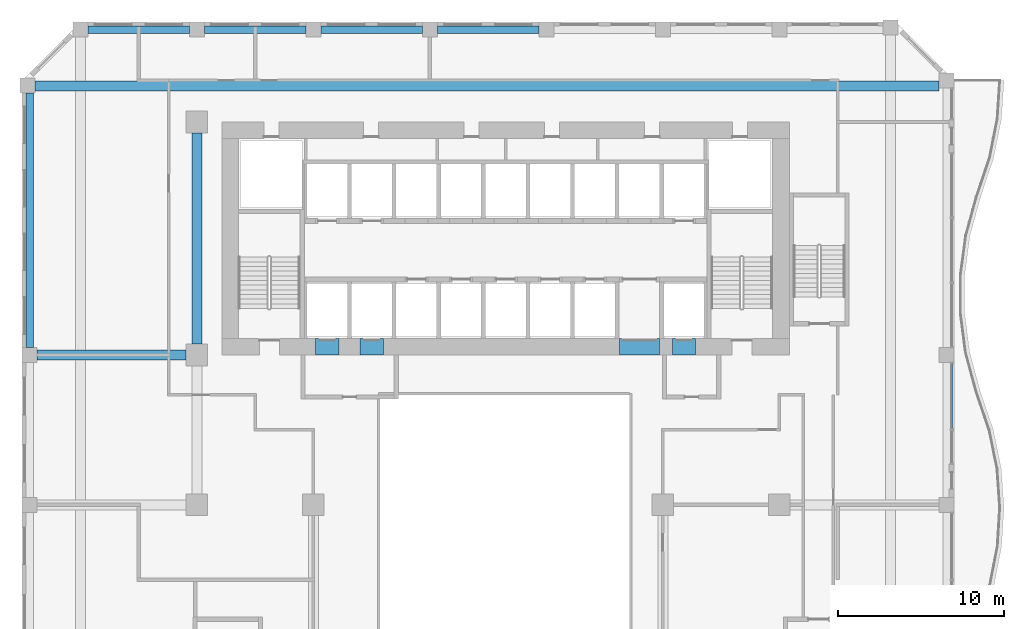
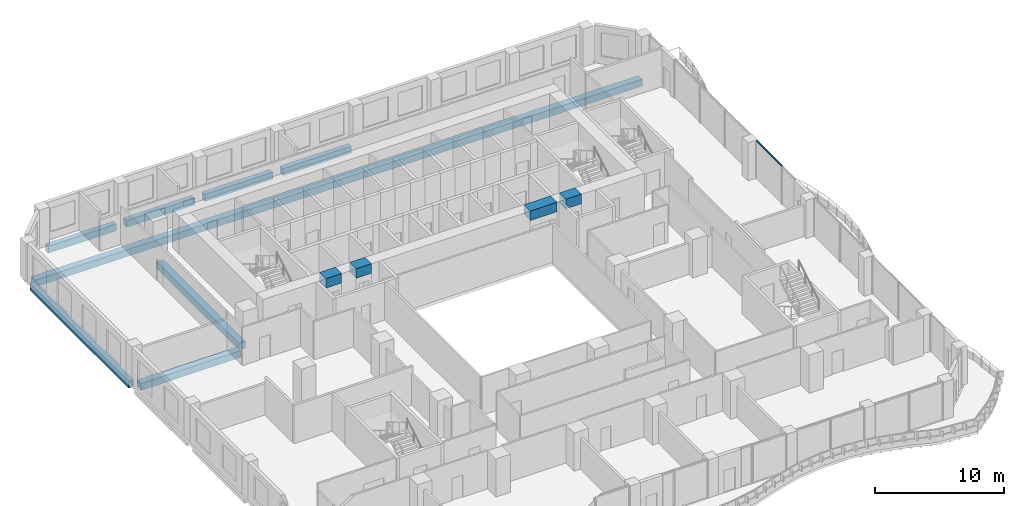
# One storey, part 9 of 23: 12 beams, 1 member, 1 element without a shape of its own.
"""IFC4 building model written with IfcOpenShell, lengths in metres."""

from ifc_helpers import new_model, si_unit, direction, frame, origin, origin_2d, place, context, subcontext, project, spatial, rectangle, extrude, source, transform, mapped, material, material_profile, profile_set, type_object, element, aggregate, save


model = new_model("IFC4")

# Units and contexts
model_context = context("Model", 3, precision=1e-05, world=origin(), true_north=direction((0.0, 1.0)))
body_context = subcontext(model_context, "Body", "Model", "MODEL_VIEW")
ifc_project = project(units=[si_unit("LENGTHUNIT", "METRE"), si_unit("AREAUNIT", "SQUARE_METRE"), si_unit("VOLUMEUNIT", "CUBIC_METRE"), si_unit("PLANEANGLEUNIT", "RADIAN"), si_unit("MASSUNIT", "GRAM", prefix="KILO")], contexts=[model_context])

# Site, building, storey
site_placement = place(None, origin())
site = spatial("IfcSite", under=ifc_project, at=site_placement, CompositionType="ELEMENT")
building_placement = place(site_placement, origin())
building = spatial("IfcBuilding", under=site, at=building_placement, Name="Kilnfold Tower and Market Hall", CompositionType="ELEMENT")
storey_placement = place(building_placement, frame((0.0, 0.0, 55.0)))
storey = spatial("IfcBuildingStorey", under=building, at=storey_placement, Name="L12", CompositionType="ELEMENT", Elevation=55.0)

# Beams
ifc_material_1 = material(Name="Concrete C45", Category="concrete")
ifc_material_profile_1 = material_profile(ifc_material_1, rectangle(XDim=0.449951171875, YDim=0.64990234375, at=origin_2d()), Name="RC 450x650")
ifc_profile_set_1 = profile_set([ifc_material_profile_1], Name="Concrete C45")
beam_type_1 = type_object("IfcBeamType", Name="EDGE BEAM 450X650 C45", PredefinedType="BEAM", material=ifc_profile_set_1)
shared_shape_1 = source(origin(), body_context, "Body", "SweptSolid", [
    extrude(rectangle(XDim=0.449951171875, YDim=0.64990234375, at=origin_2d()), origin(), (0.0, 0.0, 1.0), 6.10009765625),
])
for number, where, z_axis, x_axis, name in (
    (1, (-24.050048828125, 27.550048828125, -0.60498046875), (1.0, 0.0, 0.0), (0.0, 1.0, 0.0), "Beam EB650-B1.23"),
    (2, (-17.050048828125, 27.550048828125, -0.60498046875), (1.0, 0.0, 0.0), (0.0, 1.0, 0.0), "Beam EB650-B1.24"),
    (3, (-10.050048828125, 27.550048828125, -0.60498046875), (1.0, 0.0, 0.0), (0.0, 1.0, 0.0), "Beam EB650-B1.25"),
    (4, (-3.050048828125, 27.550048828125, -0.60498046875), (1.0, 0.0, 0.0), (0.0, 1.0, 0.0), "Beam EB650-B1.26"),
):
    element("IfcBeam", number, at=place(storey_placement, frame(where, z_axis=z_axis, x_axis=x_axis)), inside=storey, type_object=beam_type_1, Name=name, PredefinedType="BEAM", context=body_context, shape_type="MappedRepresentation", body=[
        mapped(shared_shape_1, transform((0.0, 0.0, 0.0))),
    ])
ifc_material_2 = material(Name="Concrete C45", Category="concrete")
ifc_material_profile_2 = material_profile(ifc_material_2, rectangle(XDim=0.60009765625, YDim=0.64990234375, at=origin_2d()), Name="RC 600x650")
ifc_profile_set_2 = profile_set([ifc_material_profile_2], Name="Concrete C45")
beam_type_2 = type_object("IfcBeamType", Name="BEAM 600X650 C45", PredefinedType="BEAM", material=ifc_profile_set_2)
shared_shape_2 = source(origin(), body_context, "Body", "SweptSolid", [
    extrude(rectangle(XDim=0.60009765625, YDim=0.64990234375, at=origin_2d()), origin(), (0.0, 0.0, 1.0), 8.9501953125),
])
beam_1_placement = place(storey_placement, frame((-27.10009765625, 8.0, -0.60498046875), z_axis=(1.0, 0.0, 0.0), x_axis=(0.0, 1.0, 0.0)))
element("IfcBeam", 5, at=beam_1_placement, inside=storey, type_object=beam_type_2, Name="Beam BB650-B1.21", PredefinedType="BEAM", context=body_context, shape_type="MappedRepresentation", body=[
    mapped(shared_shape_2, transform((0.0, 0.0, 0.0))),
])
shared_shape_3 = source(origin(), body_context, "Body", "SweptSolid", [
    extrude(rectangle(XDim=0.60009765625, YDim=0.64990234375, at=origin_2d()), origin(), (0.0, 0.0, 1.0), 54.331787109375),
])
beam_2_placement = place(storey_placement, frame((-27.231689453125, 24.179931640625, -0.60498046875), z_axis=(1.0, 0.0, 0.0), x_axis=(0.0, 1.0, 0.0)))
element("IfcBeam", 6, at=beam_2_placement, inside=storey, type_object=beam_type_2, Name="Beam BB650-B1.22", PredefinedType="BEAM", context=body_context, shape_type="MappedRepresentation", body=[
    mapped(shared_shape_3, transform((0.0, 0.0, 0.0))),
])
shared_shape_4 = source(origin(), body_context, "Body", "SweptSolid", [
    extrude(rectangle(XDim=0.449951171875, YDim=0.64990234375, at=origin_2d()), origin(), (0.0, 0.0, 1.0), 15.28173828125),
])
beam_3_placement = place(storey_placement, frame((-27.550048828125, 8.449951171875, -0.60498046875), z_axis=(0.0, 1.0, 0.0), x_axis=(-1.0, 0.0, 0.0)))
element("IfcBeam", 7, at=beam_3_placement, inside=storey, type_object=beam_type_1, Name="Beam EB650-B1.34", PredefinedType="BEAM", context=body_context, shape_type="MappedRepresentation", body=[
    mapped(shared_shape_4, transform((0.0, 0.0, 0.0))),
])
shared_shape_5 = source(origin(), body_context, "Body", "SweptSolid", [
    extrude(rectangle(XDim=0.60009765625, YDim=0.64990234375, at=origin_2d()), origin(), (0.0, 0.0, 1.0), 12.7001953125),
])
beam_4_placement = place(storey_placement, frame((-17.5, 8.64990234375, -0.60498046875), z_axis=(0.0, 1.0, 0.0), x_axis=(-1.0, 0.0, 0.0)))
element("IfcBeam", 8, at=beam_4_placement, inside=storey, type_object=beam_type_2, Name="Beam BB650-B1.38", PredefinedType="BEAM", context=body_context, shape_type="MappedRepresentation", body=[
    mapped(shared_shape_5, transform((0.0, 0.0, 0.0))),
])
ifc_material_3 = material(Name="Concrete C80", Category="concrete")
ifc_material_profile_3 = material_profile(ifc_material_3, rectangle(XDim=1.0, YDim=0.89990234375, at=origin_2d()), Name="RC 1000x900")
ifc_profile_set_3 = profile_set([ifc_material_profile_3], Name="Concrete C80")
beam_type_3 = type_object("IfcBeamType", Name="COUPLING BEAM 1000X900 C80", PredefinedType="BEAM", material=ifc_profile_set_3)
shared_shape_6 = source(origin(), body_context, "Body", "SweptSolid", [
    extrude(rectangle(XDim=1.0, YDim=0.89990234375, at=origin_2d()), origin(), (0.0, 0.0, 1.0), 1.400146484375),
])
beam_5_placement = place(storey_placement, frame((-10.3701171875, 8.5, 3.14990234375), z_axis=(1.0, 0.0, 0.0), x_axis=(0.0, 1.0, 0.0)))
element("IfcBeam", 9, at=beam_5_placement, inside=storey, type_object=beam_type_3, Name="Coupling beam CB900-80-CORE.42", PredefinedType="BEAM", context=body_context, shape_type="MappedRepresentation", body=[
    mapped(shared_shape_6, transform((0.0, 0.0, 0.0))),
])
shared_shape_7 = source(origin(), body_context, "Body", "SweptSolid", [
    extrude(rectangle(XDim=1.0, YDim=0.89990234375, at=origin_2d()), origin(), (0.0, 0.0, 1.0), 1.39990234375),
])
for number, where, z_axis, x_axis, name in (
    (10, (-7.68994140625, 8.5, 3.14990234375), (1.0, 0.0, 0.0), (0.0, 1.0, 0.0), "Coupling beam CB900-80-CORE.43"),
    (11, (11.070068359375, 8.5, 3.14990234375), (1.0, 0.0, 0.0), (0.0, 1.0, 0.0), "Coupling beam CB900-80-CORE.45"),
):
    element("IfcBeam", number, at=place(storey_placement, frame(where, z_axis=z_axis, x_axis=x_axis)), inside=storey, type_object=beam_type_3, Name=name, PredefinedType="BEAM", context=body_context, shape_type="MappedRepresentation", body=[
        mapped(shared_shape_7, transform((0.0, 0.0, 0.0))),
    ])
shared_shape_8 = source(origin(), body_context, "Body", "SweptSolid", [
    extrude(rectangle(XDim=1.0, YDim=0.89990234375, at=origin_2d()), origin(), (0.0, 0.0, 1.0), 2.400146484375),
])
beam_6_placement = place(storey_placement, frame((7.889892578125, 8.5, 3.14990234375), z_axis=(1.0, 0.0, 0.0), x_axis=(0.0, 1.0, 0.0)))
element("IfcBeam", 12, at=beam_6_placement, inside=storey, type_object=beam_type_3, Name="Coupling beam CB900-80-CORE.44", PredefinedType="BEAM", context=body_context, shape_type="MappedRepresentation", body=[
    mapped(shared_shape_8, transform((0.0, 0.0, 0.0))),
])

# Curtain wall, member
ifc_material_4 = material(Name="Aluminium and double glazing", Category="aluminium")
curtain_wall_type = type_object("IfcCurtainWallType", Name="CW OF1 VALLEY GLAZING", PredefinedType="NOTDEFINED", material=ifc_material_4)
curtain_wall_placement = place(storey_placement, origin())
curtain_wall = element("IfcCurtainWall", 13, at=curtain_wall_placement, inside=storey, type_object=curtain_wall_type, Name="Curtain wall CW1 L12 E", PredefinedType="NOTDEFINED")
ifc_material_5 = material(Name="Aluminium", Category="aluminium")
ifc_material_profile_4 = material_profile(ifc_material_5, rectangle(XDim=0.06005859375, YDim=0.139892578125, at=origin_2d()), Name="TRANSOM 60x140")
ifc_profile_set_4 = profile_set([ifc_material_profile_4], Name="Aluminium")
member_type = type_object("IfcMemberType", Name="TRANSOM 60X140", PredefinedType="USERDEFINED", material=ifc_profile_set_4)
shared_shape_9 = source(origin(), body_context, "Body", "SweptSolid", [
    extrude(rectangle(XDim=0.06005859375, YDim=0.139892578125, at=origin_2d()), origin(), (0.0, 0.0, 1.0), 3.929931640625),
])
member_placement = place(storey_placement, frame((27.85009765625, 3.56005859375, 3.570068359375), z_axis=(0.0, 1.0, 0.0), x_axis=(-1.0, 0.0, 0.0)))
member = element("IfcMember", 14, at=member_placement, type_object=member_type, Name="CW1 transom 1.2", ObjectType="TRANSOM", PredefinedType="USERDEFINED", context=body_context, shape_type="MappedRepresentation", body=[
    mapped(shared_shape_9, transform((0.0, 0.0, 0.0))),
])
aggregate(curtain_wall, [member])

save(model, "model.ifc")
